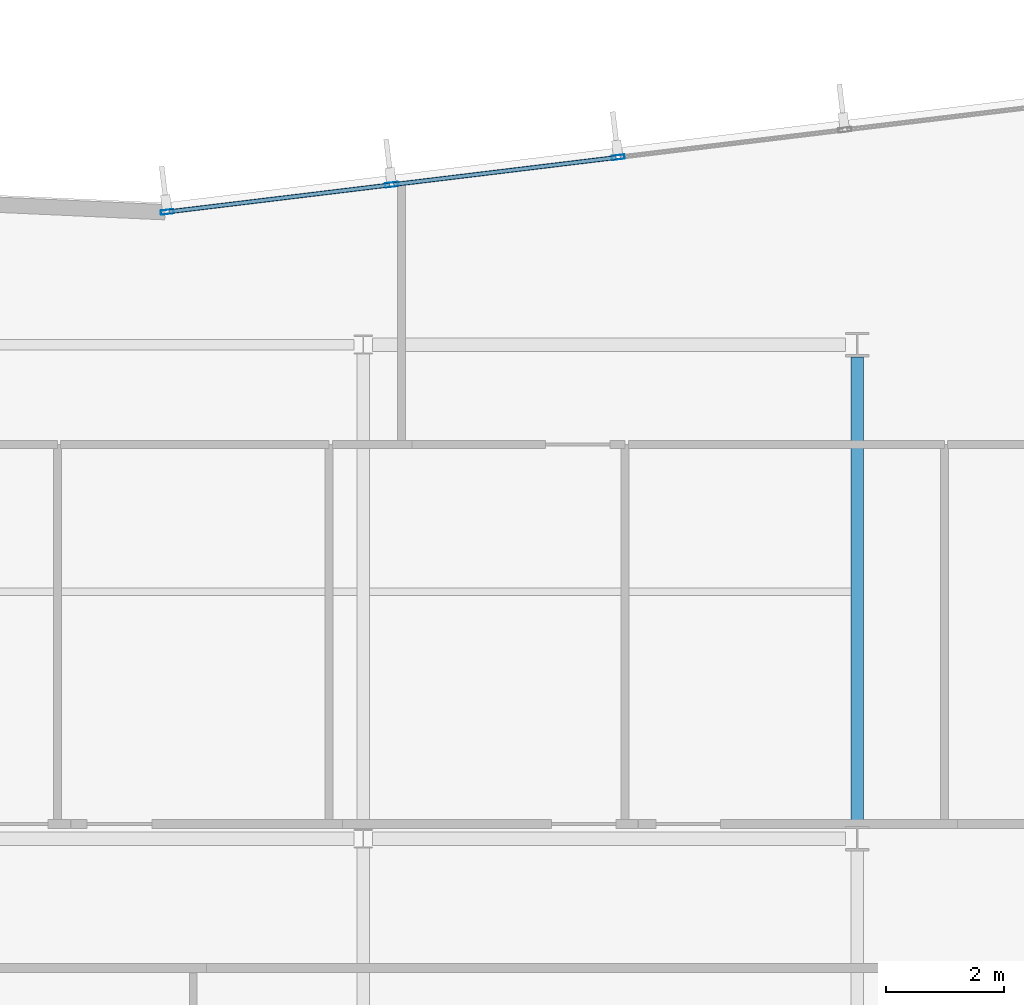
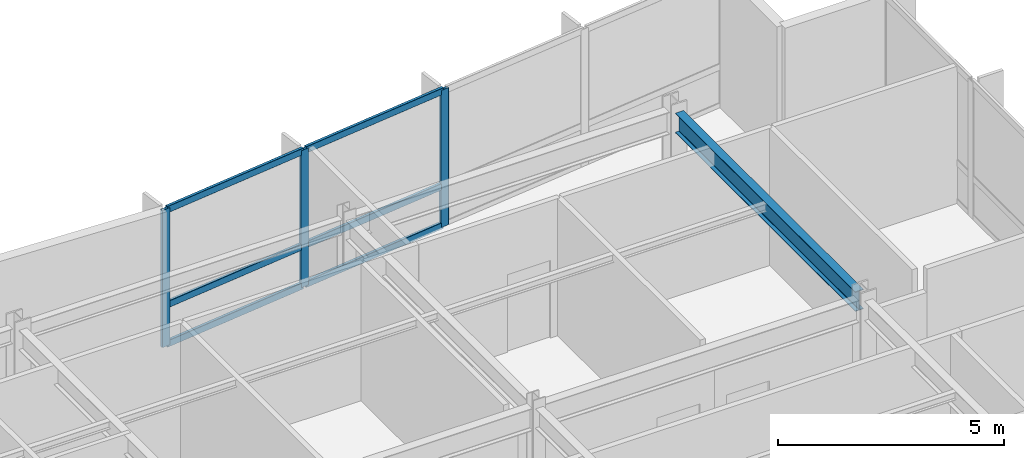
# One storey, part 7 of 19: 9 members, 1 beam, 1 element without a shape of its own.
"""IFC4 building model written with IfcOpenShell, lengths in metres."""

from ifc_helpers import new_model, si_unit, direction, frame, origin, origin_2d, place, context, subcontext, project, spatial, hollow_rectangle, i_section, extrude, material, layer, layer_set, material_profile, profile_set, type_object, element, aggregate, save


model = new_model("IFC4")

# Units and contexts
model_context = context("Model", 3, precision=1e-05, world=origin(), true_north=direction((0.0, 1.0)))
body_context = subcontext(model_context, "Body", "Model", "MODEL_VIEW")
ifc_project = project(units=[si_unit("LENGTHUNIT", "METRE"), si_unit("AREAUNIT", "SQUARE_METRE"), si_unit("VOLUMEUNIT", "CUBIC_METRE"), si_unit("PLANEANGLEUNIT", "RADIAN"), si_unit("MASSUNIT", "GRAM", prefix="KILO")], contexts=[model_context])

# Site, building, storey
site_placement = place(None, origin())
site = spatial("IfcSite", under=ifc_project, at=site_placement, CompositionType="ELEMENT")
building_placement = place(site_placement, origin())
building = spatial("IfcBuilding", under=site, at=building_placement, Name="Varnakote Quay Hospital", CompositionType="ELEMENT")
storey_placement = place(building_placement, frame((0.0, 0.0, 115.199951171875)))
storey = spatial("IfcBuildingStorey", under=building, at=storey_placement, Name="L28", CompositionType="ELEMENT", Elevation=115.199951171875)

# Beam
ifc_material_1 = material(Name="Structural steel AS/NZS 3679.1 Grade 350 L0 (fy 340 MPa)", Category="steel")
ifc_material_profile_1 = material_profile(ifc_material_1, i_section(OverallWidth=0.208984375, OverallDepth=0.532958984375, WebThickness=0.01025390625, FlangeThickness=0.015625, FilletRadius=0.013916015625, at=origin_2d()), Name="530UB92.4")
ifc_profile_set_1 = profile_set([ifc_material_profile_1], Name="Structural steel AS/NZS 3679.1 Grade 350 L0 (fy 340 MPa)")
beam_type = type_object("IfcBeamType", Name="BM-STL-530UB92-4", PredefinedType="BEAM", material=ifc_profile_set_1)
beam_placement = place(storey_placement, frame((50.39990234375, 20.610107421875, 3.443603515625), z_axis=(0.0, 1.0, 0.0), x_axis=(-1.0, 0.0, 0.0)))
element("IfcBeam", 1, at=beam_placement, inside=storey, type_object=beam_type, Name="L28 Primary Tie Beam", PredefinedType="BEAM", context=body_context, shape_type="SweptSolid", body=[
    extrude(i_section(OverallWidth=0.208984375, OverallDepth=0.532958984375, WebThickness=0.01025390625, FlangeThickness=0.015625, FilletRadius=0.013916015625, at=origin_2d()), origin(), (0.0, 0.0, 1.0), 7.97998046875),
])

# Curtain wall, members
ifc_material_2 = material(Name="Anodised aluminium 6063-T6 Bronze", Category="aluminium")
ifc_layer = layer(ifc_material_2, 0.205078125)
ifc_layer_set = layer_set([ifc_layer], Name="Anodised aluminium 6063-T6 Bronze")
curtain_wall_type = type_object("IfcCurtainWallType", Name="CW-SYS-3", PredefinedType="NOTDEFINED", material=ifc_layer_set)
curtain_wall_placement = place(storey_placement, origin())
curtain_wall = element("IfcCurtainWall", 2, at=curtain_wall_placement, inside=storey, type_object=curtain_wall_type, Name="L28 Unitised Bronze Curtain Wall 2", PredefinedType="NOTDEFINED")
ifc_material_3 = material(Name="Anodised aluminium 6063-T6 Bronze", Category="aluminium")
ifc_material_profile_2 = material_profile(ifc_material_3, hollow_rectangle(XDim=0.074951171875, YDim=0.219970703125, WallThickness=0.00439453125, InnerFilletRadius=0.00439453125, OuterFilletRadius=0.009033203125, at=origin_2d()), Name="CW-MULL-220x75")
ifc_profile_set_2 = profile_set([ifc_material_profile_2], Name="Anodised aluminium 6063-T6 Bronze")
member_type_1 = type_object("IfcMemberType", Name="CW-MULL-220x75", PredefinedType="MULLION", material=ifc_profile_set_2)
member_1_placement = place(storey_placement, frame((46.3349609375, 31.985595703125, 0.0), z_axis=(0.0, 0.0, 1.0), x_axis=(0.12032713492, -0.992734295067, 0.0)))
member_1 = element("IfcMember", 3, at=member_1_placement, type_object=member_type_1, Name="-3-L28-2 mullion 3", PredefinedType="MULLION", context=body_context, shape_type="SweptSolid", body=[
    extrude(hollow_rectangle(XDim=0.074951171875, YDim=0.219970703125, WallThickness=0.00439453125, InnerFilletRadius=0.00439453125, OuterFilletRadius=0.009033203125, at=origin_2d()), origin(), (0.0, 0.0, 1.0), 3.7099609375),
])
member_2_placement = place(storey_placement, frame((42.482666015625, 31.5185546875, 0.0), z_axis=(0.0, 0.0, 1.0), x_axis=(0.12032713492, -0.992734295067, 0.0)))
member_2 = element("IfcMember", 4, at=member_2_placement, type_object=member_type_1, Name="-3-L28-2 mullion 4", PredefinedType="MULLION", context=body_context, shape_type="SweptSolid", body=[
    extrude(hollow_rectangle(XDim=0.074951171875, YDim=0.219970703125, WallThickness=0.00439453125, InnerFilletRadius=0.00439453125, OuterFilletRadius=0.009033203125, at=origin_2d()), origin(), (0.0, 0.0, 1.0), 3.7099609375),
])
member_3_placement = place(storey_placement, frame((38.667236328125, 31.05615234375, 0.0), z_axis=(0.0, 0.0, 1.0), x_axis=(0.12032713492, -0.992734295067, 0.0)))
member_3 = element("IfcMember", 5, at=member_3_placement, type_object=member_type_1, Name="-3-L28-2 mullion 5", PredefinedType="MULLION", context=body_context, shape_type="SweptSolid", body=[
    extrude(hollow_rectangle(XDim=0.074951171875, YDim=0.219970703125, WallThickness=0.00439453125, InnerFilletRadius=0.00439453125, OuterFilletRadius=0.009033203125, at=origin_2d()), origin(), (0.0, 0.0, 1.0), 3.7099609375),
])
ifc_material_4 = material(Name="Anodised aluminium 6063-T6 Bronze", Category="aluminium")
ifc_material_profile_3 = material_profile(ifc_material_4, hollow_rectangle(XDim=0.074951171875, YDim=0.179931640625, WallThickness=0.004150390625, InnerFilletRadius=0.004150390625, OuterFilletRadius=0.00830078125, at=origin_2d()), Name="CW-TRAN-180x75")
ifc_profile_set_3 = profile_set([ifc_material_profile_3], Name="Anodised aluminium 6063-T6 Bronze")
member_type_2 = type_object("IfcMemberType", Name="CW-TRAN-180x75", PredefinedType="USERDEFINED", material=ifc_profile_set_3)
member_4_placement = place(storey_placement, frame((46.2978515625, 31.98095703125, 0.03759765625), z_axis=(-0.992731924158, -0.120346694005, 0.0), x_axis=(0.120346694005, -0.992731924158, 0.0)))
member_4 = element("IfcMember", 6, at=member_4_placement, type_object=member_type_2, Name="-3-L28-2 transom 3.1", ObjectType="TRANSOM", PredefinedType="USERDEFINED", context=body_context, shape_type="SweptSolid", body=[
    extrude(hollow_rectangle(XDim=0.074951171875, YDim=0.179931640625, WallThickness=0.004150390625, InnerFilletRadius=0.004150390625, OuterFilletRadius=0.00830078125, at=origin_2d()), origin(), (0.0, 0.0, 1.0), 3.8056640625),
])
member_5_placement = place(storey_placement, frame((46.2978515625, 31.98095703125, 1.10009765625), z_axis=(-0.992731924158, -0.120346694005, 0.0), x_axis=(0.120346694005, -0.992731924158, 0.0)))
member_5 = element("IfcMember", 7, at=member_5_placement, type_object=member_type_2, Name="-3-L28-2 transom 3.2", ObjectType="TRANSOM", PredefinedType="USERDEFINED", context=body_context, shape_type="SweptSolid", body=[
    extrude(hollow_rectangle(XDim=0.074951171875, YDim=0.179931640625, WallThickness=0.004150390625, InnerFilletRadius=0.004150390625, OuterFilletRadius=0.00830078125, at=origin_2d()), origin(), (0.0, 0.0, 1.0), 3.8056640625),
])
member_6_placement = place(storey_placement, frame((46.2978515625, 31.98095703125, 3.672607421875), z_axis=(-0.992731924158, -0.120346694005, 0.0), x_axis=(0.120346694005, -0.992731924158, 0.0)))
member_6 = element("IfcMember", 8, at=member_6_placement, type_object=member_type_2, Name="-3-L28-2 transom 3.3", ObjectType="TRANSOM", PredefinedType="USERDEFINED", context=body_context, shape_type="SweptSolid", body=[
    extrude(hollow_rectangle(XDim=0.074951171875, YDim=0.179931640625, WallThickness=0.004150390625, InnerFilletRadius=0.004150390625, OuterFilletRadius=0.00830078125, at=origin_2d()), origin(), (0.0, 0.0, 1.0), 3.8056640625),
])
member_7_placement = place(storey_placement, frame((42.4453125, 31.513916015625, 0.03759765625), z_axis=(-0.992735423717, -0.120317822859, 0.0), x_axis=(0.120317822859, -0.992735423717, 0.0)))
member_7 = element("IfcMember", 9, at=member_7_placement, type_object=member_type_2, Name="-3-L28-2 transom 4.1", ObjectType="TRANSOM", PredefinedType="USERDEFINED", context=body_context, shape_type="SweptSolid", body=[
    extrude(hollow_rectangle(XDim=0.074951171875, YDim=0.179931640625, WallThickness=0.004150390625, InnerFilletRadius=0.004150390625, OuterFilletRadius=0.00830078125, at=origin_2d()), origin(), (0.0, 0.0, 1.0), 3.76806640625),
])
member_8_placement = place(storey_placement, frame((42.4453125, 31.513916015625, 1.10009765625), z_axis=(-0.992735423717, -0.120317822859, 0.0), x_axis=(0.120317822859, -0.992735423717, 0.0)))
member_8 = element("IfcMember", 10, at=member_8_placement, type_object=member_type_2, Name="-3-L28-2 transom 4.2", ObjectType="TRANSOM", PredefinedType="USERDEFINED", context=body_context, shape_type="SweptSolid", body=[
    extrude(hollow_rectangle(XDim=0.074951171875, YDim=0.179931640625, WallThickness=0.004150390625, InnerFilletRadius=0.004150390625, OuterFilletRadius=0.00830078125, at=origin_2d()), origin(), (0.0, 0.0, 1.0), 3.76806640625),
])
member_9_placement = place(storey_placement, frame((42.4453125, 31.513916015625, 3.672607421875), z_axis=(-0.992735423717, -0.120317822859, 0.0), x_axis=(0.120317822859, -0.992735423717, 0.0)))
member_9 = element("IfcMember", 11, at=member_9_placement, type_object=member_type_2, Name="-3-L28-2 transom 4.3", ObjectType="TRANSOM", PredefinedType="USERDEFINED", context=body_context, shape_type="SweptSolid", body=[
    extrude(hollow_rectangle(XDim=0.074951171875, YDim=0.179931640625, WallThickness=0.004150390625, InnerFilletRadius=0.004150390625, OuterFilletRadius=0.00830078125, at=origin_2d()), origin(), (0.0, 0.0, 1.0), 3.76806640625),
])
aggregate(curtain_wall, [member_1, member_2, member_3, member_4, member_5, member_6, member_7, member_8, member_9])

save(model, "model.ifc")
